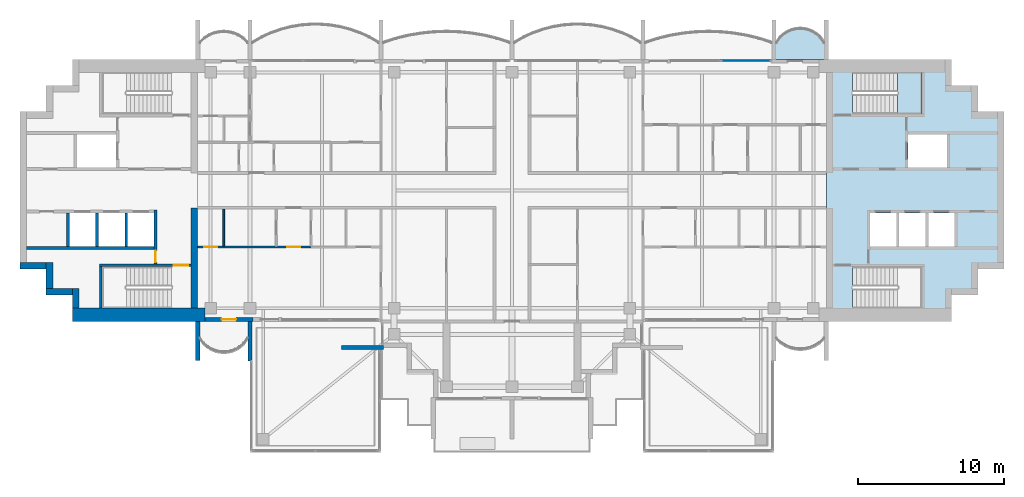
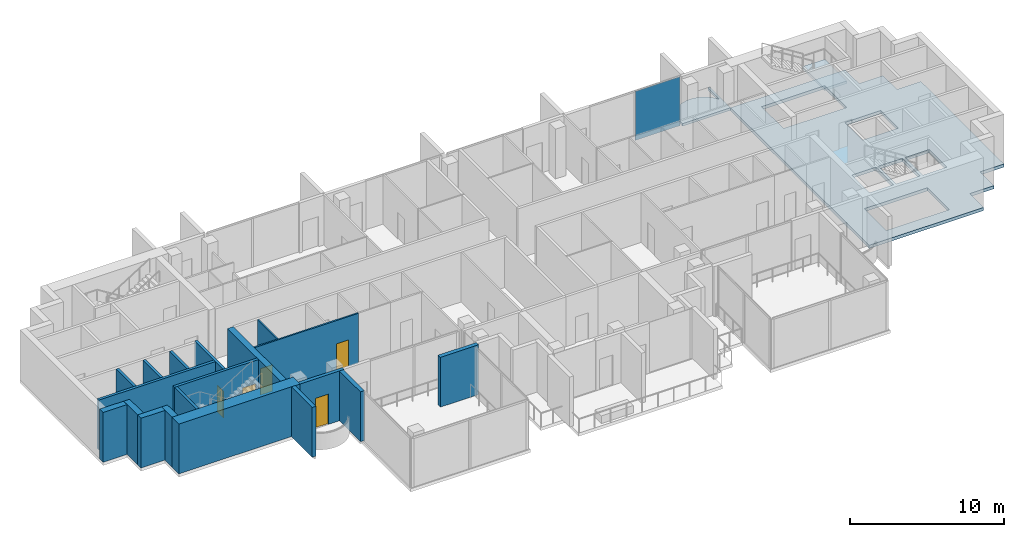
# One storey, part 6 of 16: 19 walls, 5 doors, 3 slabs, 1 plate, 5 openings, 2 elements without a shape of their own.
"""IFC4 building model written with IfcOpenShell, lengths in metres."""

from ifc_helpers import new_model, si_unit, direction, frame, frame_2d, origin, origin_2d, place, context, subcontext, project, spatial, polyline, rectangle, outline, extrude, material, layer, layer_set, type_object, element, fill, aggregate, save


model = new_model("IFC4")

# Units and contexts
model_context = context("Model", 3, precision=1e-05, world=origin(), true_north=direction((0.0, 1.0)))
body_context = subcontext(model_context, "Body", "Model", "MODEL_VIEW")
ifc_project = project(units=[si_unit("LENGTHUNIT", "METRE"), si_unit("AREAUNIT", "SQUARE_METRE"), si_unit("VOLUMEUNIT", "CUBIC_METRE"), si_unit("PLANEANGLEUNIT", "RADIAN"), si_unit("MASSUNIT", "GRAM", prefix="KILO")], contexts=[model_context])

# Site, building, storey
site_placement = place(None, origin())
site = spatial("IfcSite", under=ifc_project, at=site_placement, CompositionType="ELEMENT")
building_placement = place(site_placement, origin())
building = spatial("IfcBuilding", under=site, at=building_placement, Name="Perihelion Cross Residences", CompositionType="ELEMENT")
storey_placement = place(building_placement, frame((0.0, 0.0, 290.39990234375)))
storey = spatial("IfcBuildingStorey", under=building, at=storey_placement, Name="L74", CompositionType="ELEMENT", Elevation=290.39990234375)

# Slab
ifc_material_1 = material(Name="Concrete C40/50", Category="concrete")
ifc_layer_1 = layer(ifc_material_1, 0.199951171875)
ifc_layer_set_1 = layer_set([ifc_layer_1], Name="Balcony slab 200")
slab_type_1 = type_object("IfcSlabType", Name="Balcony slab 200", PredefinedType="FLOOR", material=ifc_layer_set_1)
slab_1_placement = place(storey_placement, frame((0.0, 0.0, -0.199951171875)))
element("IfcSlab", 1, at=slab_1_placement, inside=storey, type_object=slab_type_1, Name="Slab BK1 L74 east side north bay 1 balcony", PredefinedType="FLOOR", context=body_context, shape_type="SweptSolid", body=[
    extrude(outline(polyline([(21.60009765625, 9.0), (18.0, 9.0), (18.0, 11.699951171875), (18.14990234375, 11.699951171875), (18.14990234375, 10.199951171875), (18.425048828125, 10.568603515625), (18.699951171875, 10.806396484375), (18.97509765625, 10.96875), (19.25, 11.07568359375), (19.52490234375, 11.136962890625), (19.800048828125, 11.156982421875), (20.074951171875, 11.136962890625), (20.35009765625, 11.07568359375), (20.625, 10.96875), (20.89990234375, 10.806396484375), (21.175048828125, 10.568603515625), (21.449951171875, 10.199951171875), (21.449951171875, 11.699951171875), (21.60009765625, 11.699951171875), (21.60009765625, 9.0)])), origin(), (0.0, 0.0, 1.0), 0.199951171875),
])

# Curtain wall, plate
ifc_material_2 = material(Name="Bronze anodised aluminium, tinted glazing", Category="aluminium")
curtain_wall_type = type_object("IfcCurtainWallType", Name="CW1", PredefinedType="NOTDEFINED", material=ifc_material_2)
curtain_wall_placement = place(storey_placement, origin())
curtain_wall = element("IfcCurtainWall", 2, at=curtain_wall_placement, inside=storey, type_object=curtain_wall_type, Name="Curtain wall CW1 L74 east side north bay 2", PredefinedType="NOTDEFINED")
ifc_material_3 = material(Name="Tinted laminated glass", Category="glass")
ifc_layer_2 = layer(ifc_material_3, 0.028076171875)
ifc_layer_set_2 = layer_set([ifc_layer_2], Name="CW1 panel")
plate_type = type_object("IfcPlateType", Name="CW1 panel", PredefinedType="CURTAIN_PANEL", material=ifc_layer_set_2)
plate_placement = place(storey_placement, frame((16.06005859375, 8.89990234375, 0.0), z_axis=(0.0, 0.0, 1.0), x_axis=(-1.0, 0.0, 0.0)))
plate = element("IfcPlate", 3, at=plate_placement, type_object=plate_type, Name="CW1 panel 1", PredefinedType="CURTAIN_PANEL", context=body_context, shape_type="SweptSolid", body=[
    extrude(rectangle(XDim=3.360107421875, YDim=0.028076171875, at=origin_2d()), origin(), (0.0, 0.0, 1.0), 3.889892578125),
])
aggregate(curtain_wall, [plate])

# Slab
ifc_material_4 = material(Name="Concrete C40/50", Category="concrete")
ifc_layer_3 = layer(ifc_material_4, 0.25)
ifc_layer_set_3 = layer_set([ifc_layer_3], Name="Core floor slab 250")
slab_type_2 = type_object("IfcSlabType", Name="Core floor slab 250", PredefinedType="FLOOR", material=ifc_layer_set_3)
slab_2_placement = place(storey_placement, frame((0.0, 0.0, -0.25)))
element("IfcSlab", 4, at=slab_2_placement, inside=storey, type_object=slab_type_2, Name="East core floor slab", PredefinedType="FLOOR", context=body_context, shape_type="SweptSolid", body=[
    extrude(outline(polyline([(30.199951171875, 7.199951171875), (32.0, 7.199951171875), (32.0, 5.39990234375), (33.800048828125, 5.39990234375), (33.800048828125, -5.39990234375), (32.0, -5.39990234375), (32.0, -7.199951171875), (30.199951171875, -7.199951171875), (30.199951171875, -9.0), (21.60009765625, -9.0), (21.60009765625, 9.0), (30.199951171875, 9.0), (30.199951171875, 7.199951171875)]), holes=[polyline([(28.14990234375, -8.10009765625), (28.14990234375, -5.25), (23.405029296875, -5.25), (23.405029296875, -8.10009765625), (28.14990234375, -8.10009765625)]), polyline([(24.60009765625, -1.550048828125), (24.60009765625, -3.85009765625), (26.39990234375, -3.85009765625), (26.39990234375, -1.550048828125), (24.60009765625, -1.550048828125)]), polyline([(26.60009765625, -1.550048828125), (26.60009765625, -3.85009765625), (28.39990234375, -3.85009765625), (28.39990234375, -1.550048828125), (26.60009765625, -1.550048828125)]), polyline([(28.60009765625, -3.85009765625), (30.39990234375, -3.85009765625), (30.39990234375, -1.550048828125), (28.60009765625, -1.550048828125), (28.60009765625, -3.85009765625)]), polyline([(27.199951171875, 3.85009765625), (27.199951171875, 1.550048828125), (29.89990234375, 1.550048828125), (29.89990234375, 3.85009765625), (27.199951171875, 3.85009765625)]), polyline([(23.405029296875, 5.25), (28.14990234375, 5.25), (28.14990234375, 8.10009765625), (23.405029296875, 8.10009765625), (23.405029296875, 5.25)])]), origin(), (0.0, 0.0, 1.0), 0.25),
])

# Stair, slab
ifc_material_5 = material(Name="Concrete C40/50", Category="concrete")
stair_type = type_object("IfcStairType", Name="Exit stair, half-turn", PredefinedType="HALF_TURN_STAIR", material=ifc_material_5)
stair_placement = place(storey_placement, origin())
stair = element("IfcStair", 5, at=stair_placement, inside=storey, type_object=stair_type, Name="L74 East core exit stair 1", PredefinedType="HALF_TURN_STAIR")
ifc_material_6 = material(Name="Concrete C40/50", Category="concrete")
ifc_layer_4 = layer(ifc_material_6, 0.199951171875)
ifc_layer_set_4 = layer_set([ifc_layer_4], Name="Exit stair landing 200")
slab_type_3 = type_object("IfcSlabType", Name="Exit stair landing 200", PredefinedType="LANDING", material=ifc_layer_set_4)
slab_3_placement = place(storey_placement, frame((0.0, 0.0, 1.900146484375)))
slab_3 = element("IfcSlab", 6, at=slab_3_placement, type_object=slab_type_3, Name="ST-E1 landing 1", PredefinedType="LANDING", context=body_context, shape_type="SweptSolid", body=[
    extrude(outline(polyline([(26.47998046875, 5.25), (28.14990234375, 5.25), (28.14990234375, 8.10009765625), (26.47998046875, 8.10009765625), (26.47998046875, 5.25)])), origin(), (0.0, 0.0, 1.0), 0.199951171875),
])
aggregate(stair, [slab_3])

# Wall, opening, door
ifc_material_7 = material(Name="Concrete C30/37, bronze-clad", Category="concrete")
ifc_layer_5 = layer(ifc_material_7, 0.25)
ifc_layer_set_5 = layer_set([ifc_layer_5], Name="Bronze-clad pier wall 250")
wall_type_1 = type_object("IfcWallType", Name="Bronze-clad pier wall 250", PredefinedType="SOLIDWALL", material=ifc_layer_set_5)
wall_1_placement = place(storey_placement, frame((-21.10009765625, -8.875, 0.0), z_axis=(0.0, 0.0, 1.0), x_axis=(1.0, 0.0, 0.0)))
wall_1 = element("IfcWall", 7, at=wall_1_placement, inside=storey, type_object=wall_type_1, Name="Wall FW1 L74 west side south bay 1 pier", PredefinedType="SOLIDWALL", context=body_context, shape_type="SweptSolid", body=[
    extrude(rectangle(XDim=3.300048828125, YDim=0.25, at=frame_2d((1.64990234375, 0.0))), origin(), (0.0, 0.0, 1.0), 3.9501953125),
])
opening_1_placement = place(wall_1_placement, frame((1.14990234375, 0.0, 0.0)))
opening_1 = element("IfcOpeningElement", 8, at=opening_1_placement, cuts=wall_1, Name="Opening L74.E07", PredefinedType="OPENING", context=body_context, shape_type="SweptSolid", body=[
    extrude(rectangle(XDim=1.0, YDim=2.39990234375, at=frame_2d((0.5, 1.199951171875))), frame((0.0, 0.135009765625, 0.0), z_axis=(0.0, -1.0, 0.0), x_axis=(1.0, 0.0, 0.0)), (0.0, 0.0, 1.0), 0.27001953125),
])
ifc_material_8 = material(Name="Bronze anodised aluminium, glazed", Category="aluminium")
door_type_1 = type_object("IfcDoorType", Name="Balcony door 1000 x 2400", OperationType="NOTDEFINED", PredefinedType="DOOR", material=ifc_material_8)
door_1_placement = place(opening_1_placement, origin())
door_1 = element("IfcDoor", 9, at=door_1_placement, inside=storey, type_object=door_type_1, Name="Door L74.E07 west side south bay 1", OperationType="SINGLE_SWING_LEFT", OverallHeight=2.39990234375, OverallWidth=1.0, PredefinedType="DOOR", context=body_context, shape_type="SweptSolid", body=[
    extrude(rectangle(XDim=1.0, YDim=2.39990234375, at=frame_2d((0.5, 1.199951171875))), frame((0.0, 0.02490234375, 0.0), z_axis=(0.0, -1.0, 0.0), x_axis=(1.0, 0.0, 0.0)), (0.0, 0.0, 1.0), 0.050048828125),
])
fill(opening_1, door_1)

# Walls
ifc_material_9 = material(Name="Concrete C60/75", Category="concrete")
ifc_layer_6 = layer(ifc_material_9, 0.449951171875)
ifc_layer_set_6 = layer_set([ifc_layer_6], Name="Core wall, inner 450")
wall_type_2 = type_object("IfcWallType", Name="Core wall, inner 450", PredefinedType="SHEAR", material=ifc_layer_set_6)
wall_2_placement = place(storey_placement, frame((-21.824951171875, -8.10009765625, 0.0), z_axis=(0.0, 0.0, 1.0), x_axis=(0.0, 1.0, 0.0)))
element("IfcWall", 10, at=wall_2_placement, inside=storey, type_object=wall_type_2, Name="West core core wall, inner", PredefinedType="SHEAR", context=body_context, shape_type="SweptSolid", body=[
    extrude(rectangle(XDim=6.900146484375, YDim=0.449951171875, at=frame_2d((3.4501953125, 0.0))), origin(), (0.0, 0.0, 1.0), 3.9501953125),
])
ifc_material_10 = material(Name="Concrete C60/75", Category="concrete")
ifc_layer_7 = layer(ifc_material_10, 0.449951171875)
ifc_layer_set_7 = layer_set([ifc_layer_7], Name="Core wall, outer 450")
wall_type_3 = type_object("IfcWallType", Name="Core wall, outer 450", PredefinedType="SHEAR", material=ifc_layer_set_7)
wall_3_placement = place(storey_placement, frame((-29.97509765625, -8.10009765625, 0.0), z_axis=(0.0, 0.0, 1.0), x_axis=(0.0, 1.0, 0.0)))
element("IfcWall", 11, at=wall_3_placement, inside=storey, type_object=wall_type_3, Name="West core core wall, outer", PredefinedType="SHEAR", context=body_context, shape_type="SweptSolid", body=[
    extrude(rectangle(XDim=1.35009765625, YDim=0.449951171875, at=frame_2d((0.675048828125, 0.0))), origin(), (0.0, 0.0, 1.0), 3.9501953125),
])
for number, where, z_axis, x_axis, name in (
    (12, (-32.0, -6.97509765625, 0.0), (0.0, 0.0, 1.0), (1.0, 0.0, 0.0), "West core core wall, outer"),
    (13, (-31.77490234375, -6.75, 0.0), (0.0, 0.0, 1.0), (0.0, 1.0, 0.0), "West core core wall, outer"),
    (14, (-33.800048828125, -5.175048828125, 0.0), (0.0, 0.0, 1.0), (1.0, 0.0, 0.0), "West core core wall, outer"),
):
    element("IfcWall", number, at=place(storey_placement, frame(where, z_axis=z_axis, x_axis=x_axis)), inside=storey, type_object=wall_type_3, Name=name, PredefinedType="SHEAR", context=body_context, shape_type="SweptSolid", body=[
        extrude(rectangle(XDim=1.800048828125, YDim=0.449951171875, at=frame_2d((0.89990234375, 0.0))), origin(), (0.0, 0.0, 1.0), 3.9501953125),
    ])
ifc_material_11 = material(Name="Concrete C60/75", Category="concrete")
ifc_layer_8 = layer(ifc_material_11, 0.89990234375)
ifc_layer_set_8 = layer_set([ifc_layer_8], Name="Core wall, outer 900")
wall_type_4 = type_object("IfcWallType", Name="Core wall, outer 900", PredefinedType="SHEAR", material=ifc_layer_set_8)
wall_4_placement = place(storey_placement, frame((-30.199951171875, -8.550048828125, 0.0), z_axis=(0.0, 0.0, 1.0), x_axis=(1.0, 0.0, 0.0)))
element("IfcWall", 15, at=wall_4_placement, inside=storey, type_object=wall_type_4, Name="West core core wall, outer", PredefinedType="SHEAR", context=body_context, shape_type="SweptSolid", body=[
    extrude(rectangle(XDim=9.099853515625, YDim=0.89990234375, at=frame_2d((4.5498046875, 0.0))), origin(), (0.0, 0.0, 1.0), 3.9501953125),
])

# Wall, opening, door
ifc_material_12 = material(Name="Concrete C50/60", Category="concrete")
ifc_layer_9 = layer(ifc_material_12, 0.199951171875)
ifc_layer_set_9 = layer_set([ifc_layer_9], Name="Lobby wall 200")
wall_type_5 = type_object("IfcWallType", Name="Lobby wall 200", PredefinedType="SOLIDWALL", material=ifc_layer_set_9)
wall_5_placement = place(storey_placement, frame((-24.5, -5.050048828125, 0.0), z_axis=(0.0, 0.0, 1.0), x_axis=(0.0, 1.0, 0.0)))
wall_5 = element("IfcWall", 16, at=wall_5_placement, inside=storey, type_object=wall_type_5, Name="West core lobby wall", PredefinedType="SOLIDWALL", context=body_context, shape_type="SweptSolid", body=[
    extrude(rectangle(XDim=3.699951171875, YDim=0.199951171875, at=frame_2d((1.85009765625, 0.0))), origin(), (0.0, 0.0, 1.0), 3.9501953125),
])
opening_2_placement = place(wall_5_placement, frame((0.10009765625, 0.0, 0.0)))
opening_2 = element("IfcOpeningElement", 17, at=opening_2_placement, cuts=wall_5, Name="Opening L74.C20", PredefinedType="OPENING", context=body_context, shape_type="SweptSolid", body=[
    extrude(rectangle(XDim=0.800048828125, YDim=2.10009765625, at=frame_2d((0.39990234375, 1.050048828125))), frame((0.0, 0.10986328125, 0.0), z_axis=(0.0, -1.0, 0.0), x_axis=(1.0, 0.0, 0.0)), (0.0, 0.0, 1.0), 0.219970703125),
])
ifc_material_13 = material(Name="Steel, powder coated", Category="steel")
door_type_2 = type_object("IfcDoorType", Name="Riser door 800", OperationType="SINGLE_SWING_LEFT", PredefinedType="DOOR", material=ifc_material_13)
door_2_placement = place(opening_2_placement, origin())
door_2 = element("IfcDoor", 18, at=door_2_placement, inside=storey, type_object=door_type_2, Name="West core riser door", OperationType="SINGLE_SWING_LEFT", OverallHeight=2.10009765625, OverallWidth=0.800048828125, PredefinedType="DOOR", context=body_context, shape_type="SweptSolid", body=[
    extrude(rectangle(XDim=0.800048828125, YDim=2.10009765625, at=frame_2d((0.39990234375, 1.050048828125))), frame((0.0, 0.02490234375, 0.0), z_axis=(0.0, -1.0, 0.0), x_axis=(1.0, 0.0, 0.0)), (0.0, 0.0, 1.0), 0.050048828125),
])
fill(opening_2, door_2)

# Wall, openings, doors
ifc_material_14 = material(Name="Plasterboard partition")
ifc_layer_10 = layer(ifc_material_14, 0.1201171875)
ifc_layer_set_10 = layer_set([ifc_layer_10], Name="Partition wall 120")
wall_type_6 = type_object("IfcWallType", Name="Partition wall 120", PredefinedType="PARTITIONING", material=ifc_layer_set_10)
wall_6_placement = place(storey_placement, frame((-13.800048828125, -3.89990234375, 0.0), z_axis=(0.0, 0.0, 1.0), x_axis=(-1.0, 0.0, 0.0)))
wall_6 = element("IfcWall", 19, at=wall_6_placement, inside=storey, type_object=wall_type_6, Name="Partition L74 W056", PredefinedType="PARTITIONING", context=body_context, shape_type="SweptSolid", body=[
    extrude(rectangle(XDim=7.800048828125, YDim=0.1201171875, at=frame_2d((3.89990234375, 0.0))), origin(), (0.0, 0.0, 1.0), 3.9501953125),
])
opening_3_placement = place(wall_6_placement, frame((6.449951171875, 0.0, 0.0)))
opening_3 = element("IfcOpeningElement", 20, at=opening_3_placement, cuts=wall_6, Name="Opening L74.A29", PredefinedType="OPENING", context=body_context, shape_type="SweptSolid", body=[
    extrude(rectangle(XDim=0.89990234375, YDim=2.10009765625, at=frame_2d((0.449951171875, 1.050048828125))), frame((0.0, 0.070068359375, 0.0), z_axis=(0.0, -1.0, 0.0), x_axis=(1.0, 0.0, 0.0)), (0.0, 0.0, 1.0), 0.14013671875),
])
opening_4_placement = place(wall_6_placement, frame((0.75, 0.0, 0.0)))
opening_4 = element("IfcOpeningElement", 21, at=opening_4_placement, cuts=wall_6, Name="Opening L74.A32", PredefinedType="OPENING", context=body_context, shape_type="SweptSolid", body=[
    extrude(rectangle(XDim=0.89990234375, YDim=2.10009765625, at=frame_2d((0.449951171875, 1.050048828125))), frame((0.0, 0.070068359375, 0.0), z_axis=(0.0, -1.0, 0.0), x_axis=(1.0, 0.0, 0.0)), (0.0, 0.0, 1.0), 0.14013671875),
])
ifc_material_15 = material(Name="Timber door leaf", Category="wood")
door_type_3 = type_object("IfcDoorType", Name="Interior room door 900 x 2100", OperationType="SINGLE_SWING_LEFT", PredefinedType="DOOR", material=ifc_material_15)
door_3_placement = place(opening_3_placement, origin())
door_3 = element("IfcDoor", 22, at=door_3_placement, inside=storey, type_object=door_type_3, Name="Door L74.A29", OperationType="SINGLE_SWING_RIGHT", OverallHeight=2.10009765625, OverallWidth=0.89990234375, PredefinedType="DOOR", context=body_context, shape_type="SweptSolid", body=[
    extrude(rectangle(XDim=0.89990234375, YDim=2.10009765625, at=frame_2d((0.449951171875, 1.050048828125))), frame((0.0, 0.02490234375, 0.0), z_axis=(0.0, -1.0, 0.0), x_axis=(1.0, 0.0, 0.0)), (0.0, 0.0, 1.0), 0.050048828125),
])
fill(opening_3, door_3)
door_4_placement = place(opening_4_placement, origin())
door_4 = element("IfcDoor", 23, at=door_4_placement, inside=storey, type_object=door_type_3, Name="Door L74.A32", OperationType="SINGLE_SWING_LEFT", OverallHeight=2.10009765625, OverallWidth=0.89990234375, PredefinedType="DOOR", context=body_context, shape_type="SweptSolid", body=[
    extrude(rectangle(XDim=0.89990234375, YDim=2.10009765625, at=frame_2d((0.449951171875, 1.050048828125))), frame((0.0, 0.02490234375, 0.0), z_axis=(0.0, -1.0, 0.0), x_axis=(1.0, 0.0, 0.0)), (0.0, 0.0, 1.0), 0.050048828125),
])
fill(opening_4, door_4)

# Walls
wall_7_placement = place(storey_placement, frame((-19.800048828125, -3.840087890625, 0.0), z_axis=(0.0, 0.0, 1.0), x_axis=(0.0, 1.0, 0.0)))
element("IfcWall", 24, at=wall_7_placement, inside=storey, type_object=wall_type_6, Name="Partition L74 W057", PredefinedType="PARTITIONING", context=body_context, shape_type="SweptSolid", body=[
    extrude(rectangle(XDim=2.5400390625, YDim=0.1201171875, at=frame_2d((1.27001953125, 0.0))), origin(), (0.0, 0.0, 1.0), 3.9501953125),
])
ifc_material_16 = material(Name="Precast concrete C50/60", Category="concrete")
ifc_layer_11 = layer(ifc_material_16, 0.300048828125)
ifc_layer_set_11 = layer_set([ifc_layer_11], Name="Precast concrete C50/60 blade wall 300")
wall_type_7 = type_object("IfcWallType", Name="Precast concrete C50/60 blade wall 300", PredefinedType="SOLIDWALL", material=ifc_layer_set_11)
wall_8_placement = place(storey_placement, frame((-21.60009765625, -9.0, 0.0), z_axis=(0.0, 0.0, 1.0), x_axis=(0.0, -1.0, 0.0)))
element("IfcWall", 25, at=wall_8_placement, inside=storey, type_object=wall_type_7, Name="Wall BL1 L74 no. 3", PredefinedType="SOLIDWALL", context=body_context, shape_type="SweptSolid", body=[
    extrude(rectangle(XDim=2.699951171875, YDim=0.300048828125, at=frame_2d((1.35009765625, 0.0))), origin(), (0.0, 0.0, 1.0), 3.9501953125),
])
wall_9_placement = place(storey_placement, frame((-18.0, -9.0, 0.0), z_axis=(0.0, 0.0, 1.0), x_axis=(0.0, -1.0, 0.0)))
element("IfcWall", 26, at=wall_9_placement, inside=storey, type_object=wall_type_7, Name="Wall BL1 L74 no. 1", PredefinedType="SOLIDWALL", context=body_context, shape_type="SweptSolid", body=[
    extrude(rectangle(XDim=2.739990234375, YDim=0.300048828125, at=frame_2d((1.3701171875, 0.0))), origin(), (0.0, 0.0, 1.0), 3.9501953125),
])
wall_10_placement = place(storey_placement, frame((-8.820068359375, -10.800048828125, 0.0), z_axis=(0.0, 0.0, 1.0), x_axis=(-1.0, 0.0, 0.0)))
element("IfcWall", 27, at=wall_10_placement, inside=storey, type_object=wall_type_7, Name="Wall BL1 L74 no. 6", PredefinedType="SOLIDWALL", context=body_context, shape_type="SweptSolid", body=[
    extrude(rectangle(XDim=2.8798828125, YDim=0.300048828125, at=frame_2d((1.43994140625, 0.0))), origin(), (0.0, 0.0, 1.0), 3.9501953125),
])
ifc_material_17 = material(Name="Concrete C50/60", Category="concrete")
ifc_layer_12 = layer(ifc_material_17, 0.199951171875)
ifc_layer_set_12 = layer_set([ifc_layer_12], Name="Shaft wall 200")
wall_type_8 = type_object("IfcWallType", Name="Shaft wall 200", PredefinedType="SOLIDWALL", material=ifc_layer_set_12)
wall_11_placement = place(storey_placement, frame((-33.35009765625, -3.949951171875, 0.0), z_axis=(0.0, 0.0, 1.0), x_axis=(1.0, 0.0, 0.0)))
element("IfcWall", 28, at=wall_11_placement, inside=storey, type_object=wall_type_8, Name="West core shaft wall", PredefinedType="SOLIDWALL", context=body_context, shape_type="SweptSolid", body=[
    extrude(rectangle(XDim=8.75, YDim=0.199951171875, at=frame_2d((4.375, 0.0))), origin(), (0.0, 0.0, 1.0), 3.9501953125),
])
for number, where, z_axis, x_axis, name in (
    (29, (-26.5, -3.85009765625, 0.0), (0.0, 0.0, 1.0), (0.0, 1.0, 0.0), "West core shaft wall"),
    (30, (-28.5, -3.85009765625, 0.0), (0.0, 0.0, 1.0), (0.0, 1.0, 0.0), "West core shaft wall"),
    (31, (-30.5, -3.85009765625, 0.0), (0.0, 0.0, 1.0), (0.0, 1.0, 0.0), "West core shaft wall"),
):
    element("IfcWall", number, at=place(storey_placement, frame(where, z_axis=z_axis, x_axis=x_axis)), inside=storey, type_object=wall_type_8, Name=name, PredefinedType="SOLIDWALL", context=body_context, shape_type="SweptSolid", body=[
        extrude(rectangle(XDim=2.300048828125, YDim=0.199951171875, at=frame_2d((1.14990234375, 0.0))), origin(), (0.0, 0.0, 1.0), 3.9501953125),
    ])

# Wall, opening, door
ifc_material_18 = material(Name="Concrete C50/60", Category="concrete")
ifc_layer_13 = layer(ifc_material_18, 0.199951171875)
ifc_layer_set_13 = layer_set([ifc_layer_13], Name="Stair wall 200")
wall_type_9 = type_object("IfcWallType", Name="Stair wall 200", PredefinedType="SOLIDWALL", material=ifc_layer_set_13)
wall_12_placement = place(storey_placement, frame((-28.35009765625, -5.14990234375, 0.0), z_axis=(0.0, 0.0, 1.0), x_axis=(1.0, 0.0, 0.0)))
wall_12 = element("IfcWall", 32, at=wall_12_placement, inside=storey, type_object=wall_type_9, Name="West core stair wall", PredefinedType="SOLIDWALL", context=body_context, shape_type="SweptSolid", body=[
    extrude(rectangle(XDim=6.300048828125, YDim=0.199951171875, at=frame_2d((3.14990234375, 0.0))), origin(), (0.0, 0.0, 1.0), 3.9501953125),
])
opening_5_placement = place(wall_12_placement, frame((5.10009765625, 0.0, 0.0)))
opening_5 = element("IfcOpeningElement", 33, at=opening_5_placement, cuts=wall_12, Name="Opening L74.C17", PredefinedType="OPENING", context=body_context, shape_type="SweptSolid", body=[
    extrude(rectangle(XDim=1.0, YDim=2.10009765625, at=frame_2d((0.5, 1.050048828125))), frame((0.0, 0.10986328125, 0.0), z_axis=(0.0, -1.0, 0.0), x_axis=(1.0, 0.0, 0.0)), (0.0, 0.0, 1.0), 0.219970703125),
])
ifc_material_19 = material(Name="Steel, powder coated", Category="steel")
door_type_4 = type_object("IfcDoorType", Name="Stair door 1000", OperationType="SINGLE_SWING_LEFT", PredefinedType="DOOR", material=ifc_material_19)
door_5_placement = place(opening_5_placement, origin())
door_5 = element("IfcDoor", 34, at=door_5_placement, inside=storey, type_object=door_type_4, Name="West core stair door", OperationType="SINGLE_SWING_LEFT", OverallHeight=2.10009765625, OverallWidth=1.0, PredefinedType="DOOR", context=body_context, shape_type="SweptSolid", body=[
    extrude(rectangle(XDim=1.0, YDim=2.10009765625, at=frame_2d((0.5, 1.050048828125))), frame((0.0, 0.02490234375, 0.0), z_axis=(0.0, -1.0, 0.0), x_axis=(1.0, 0.0, 0.0)), (0.0, 0.0, 1.0), 0.050048828125),
])
fill(opening_5, door_5)

# Wall
wall_13_placement = place(storey_placement, frame((-28.25, -8.10009765625, 0.0), z_axis=(0.0, 0.0, 1.0), x_axis=(0.0, 1.0, 0.0)))
element("IfcWall", 35, at=wall_13_placement, inside=storey, type_object=wall_type_9, Name="West core stair wall", PredefinedType="SOLIDWALL", context=body_context, shape_type="SweptSolid", body=[
    extrude(rectangle(XDim=2.85009765625, YDim=0.199951171875, at=frame_2d((1.425048828125, 0.0))), origin(), (0.0, 0.0, 1.0), 3.9501953125),
])

save(model, "model.ifc")
